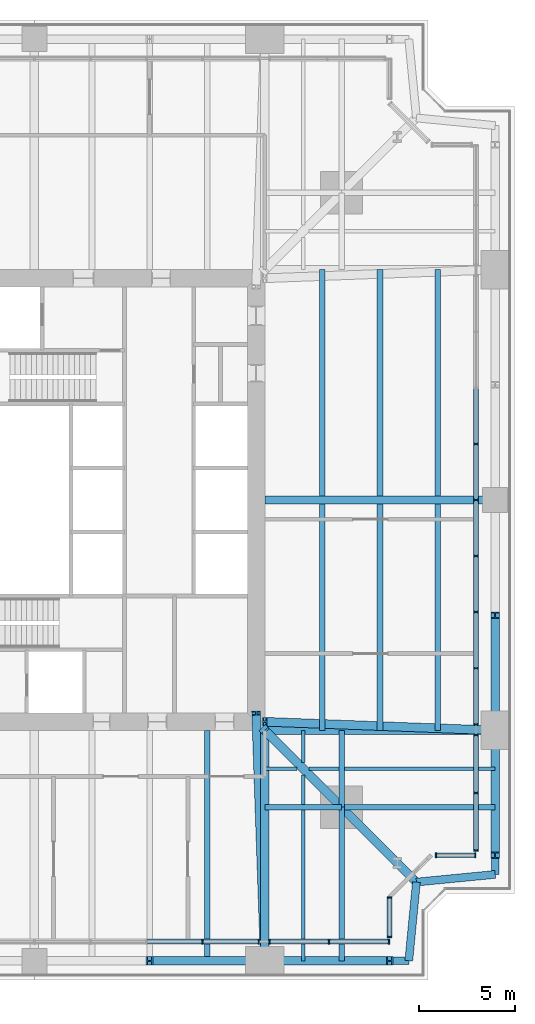
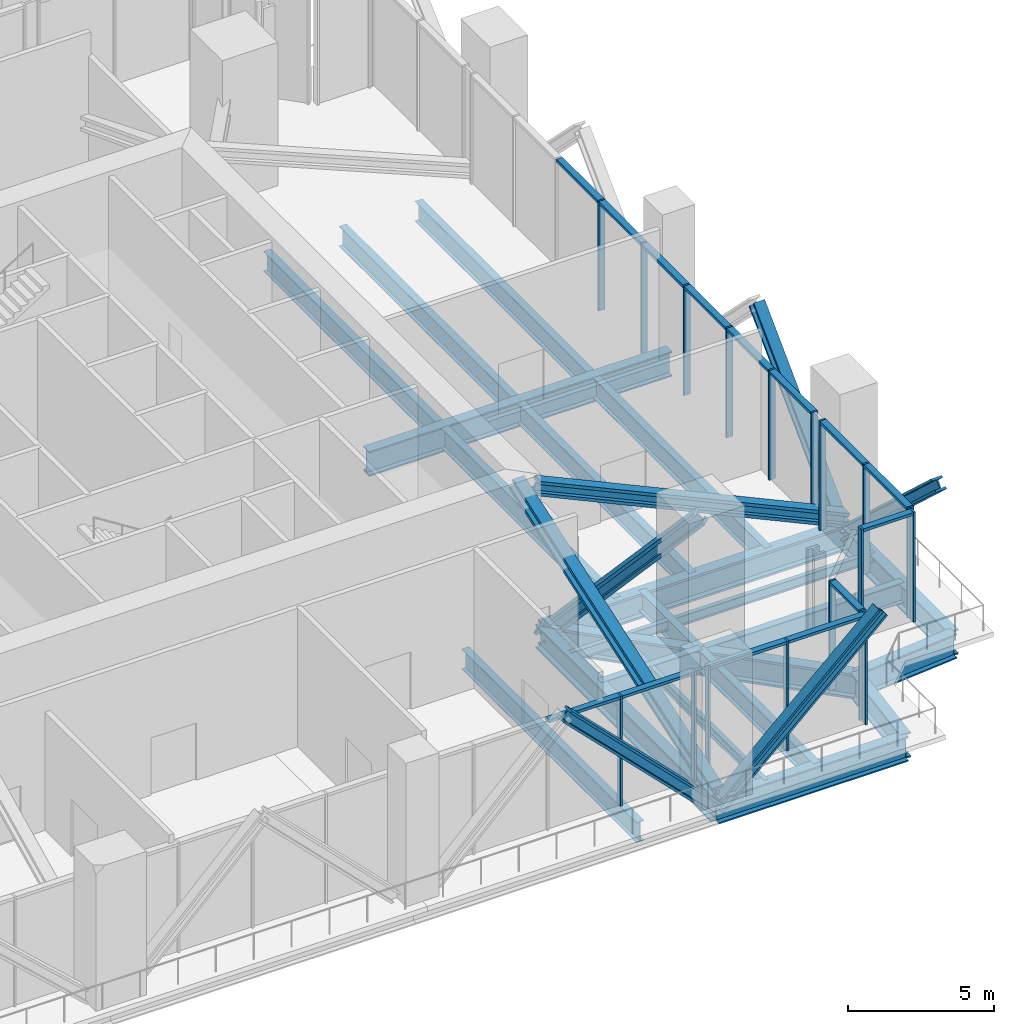
# One storey, part 5 of 14: 39 members, 26 beams, 6 elements without a shape of their own.
"""IFC4 building model written with IfcOpenShell, lengths in metres."""

from ifc_helpers import new_model, si_unit, direction, frame, origin, origin_2d, place, context, subcontext, project, spatial, rectangle, i_section, extrude, material, material_profile, profile_set, type_object, element, aggregate, save


model = new_model("IFC4")

# Units and contexts
model_context = context("Model", 3, precision=1e-05, world=origin(), true_north=direction((0.0, 1.0)))
body_context = subcontext(model_context, "Body", "Model", "MODEL_VIEW")
ifc_project = project(units=[si_unit("LENGTHUNIT", "METRE"), si_unit("AREAUNIT", "SQUARE_METRE"), si_unit("VOLUMEUNIT", "CUBIC_METRE"), si_unit("PLANEANGLEUNIT", "RADIAN"), si_unit("MASSUNIT", "GRAM", prefix="KILO")], contexts=[model_context])

# Site, building, storey
site_placement = place(None, origin())
site = spatial("IfcSite", under=ifc_project, at=site_placement, CompositionType="ELEMENT")
building_placement = place(site_placement, origin())
building = spatial("IfcBuilding", under=site, at=building_placement, Name="Fenwick Lantern Interchange", CompositionType="ELEMENT")
storey_placement = place(building_placement, frame((0.0, 0.0, 162.39990234375)))
storey = spatial("IfcBuildingStorey", under=building, at=storey_placement, Name="L38", CompositionType="ELEMENT", Elevation=162.39990234375)

# Members
ifc_material_1 = material(Name="Steel ASTM A992 Grade 50", Category="steel")
ifc_material_profile_1 = material_profile(ifc_material_1, i_section(OverallWidth=0.431884765625, OverallDepth=0.497802734375, WebThickness=0.0556640625, FlangeThickness=0.0888671875, at=origin_2d()), Name="W14X500")
ifc_profile_set_1 = profile_set([ifc_material_profile_1], Name="Steel ASTM A992 Grade 50")
member_type_1 = type_object("IfcMemberType", Name="BELT TRUSS DIAGONAL W14X500", PredefinedType="BRACE", material=ifc_profile_set_1)
member_1_placement = place(storey_placement, frame((37.0, 1.0, -0.64990234375), z_axis=(-0.707106781187, 0.0, 0.707106781187), x_axis=(0.0, -1.0, 0.0)))
element("IfcMember", 1, at=member_1_placement, inside=storey, type_object=member_type_1, Name="L38/BT/S/D5", PredefinedType="BRACE", context=body_context, shape_type="SweptSolid", body=[
    extrude(i_section(OverallWidth=0.431884765625, OverallDepth=0.497802734375, WebThickness=0.0556640625, FlangeThickness=0.0888671875, at=origin_2d()), origin(), (0.0, 0.0, 1.0), 8.4853515625),
])
for number, where, z_axis, x_axis, name in (
    (2, (37.0, 1.0, -0.64990234375), (0.734803444627, 0.0, 0.678280102733), (0.0, 1.0, 0.0), "L38/BT/S/D6"),
    (3, (49.0, 13.0, -0.64990234375), (0.0, -0.734803444627, 0.678280102733), (1.0, 0.0, 0.0), "L38/BT/E/D1"),
):
    element("IfcMember", number, at=place(storey_placement, frame(where, z_axis=z_axis, x_axis=x_axis)), inside=storey, type_object=member_type_1, Name=name, PredefinedType="BRACE", context=body_context, shape_type="SweptSolid", body=[
        extrude(i_section(OverallWidth=0.431884765625, OverallDepth=0.497802734375, WebThickness=0.0556640625, FlangeThickness=0.0888671875, at=origin_2d()), origin(), (0.0, 0.0, 1.0), 8.845947265625),
    ])
member_2_placement = place(storey_placement, frame((49.0, 13.0, -0.64990234375), z_axis=(0.0, 0.707106781187, 0.707106781187), x_axis=(-1.0, 0.0, 0.0)))
element("IfcMember", 4, at=member_2_placement, inside=storey, type_object=member_type_1, Name="L38/BT/E/D2", PredefinedType="BRACE", context=body_context, shape_type="SweptSolid", body=[
    extrude(i_section(OverallWidth=0.431884765625, OverallDepth=0.497802734375, WebThickness=0.0556640625, FlangeThickness=0.0888671875, at=origin_2d()), origin(), (0.0, 0.0, 1.0), 8.4853515625),
])

# Beams
ifc_material_profile_2 = material_profile(ifc_material_1, i_section(OverallWidth=0.408935546875, OverallDepth=1.04150390625, WebThickness=0.031005859375, FlangeThickness=0.055908203125, at=origin_2d()), Name="W40X397")
ifc_profile_set_2 = profile_set([ifc_material_profile_2], Name="Steel ASTM A992 Grade 50")
beam_type_1 = type_object("IfcBeamType", Name="EDGE BEAM W40X397", PredefinedType="SPANDREL", material=ifc_profile_set_2)
beam_1_placement = place(storey_placement, frame((37.0, 1.0, -0.720703125), z_axis=(1.0, 0.0, 0.0), x_axis=(0.0, 1.0, 0.0)))
element("IfcBeam", 5, at=beam_1_placement, inside=storey, type_object=beam_type_1, Name="L38/FR/S/EB4", PredefinedType="SPANDREL", context=body_context, shape_type="SweptSolid", body=[
    extrude(i_section(OverallWidth=0.408935546875, OverallDepth=1.04150390625, WebThickness=0.031005859375, FlangeThickness=0.055908203125, at=origin_2d()), origin(), (0.0, 0.0, 1.0), 7.5),
])
for number, where, z_axis, x_axis, name in (
    (6, (44.5, 1.0, -0.720703125), (0.097074191287, 0.995277148028, 0.0), (-0.995277148028, 0.097074191287, 0.0), "L38/FR/S/EBR1"),
    (7, (44.89990234375, 5.10009765625, -0.720703125), (0.995277148028, 0.097074191287, 0.0), (-0.097074191287, 0.995277148028, 0.0), "L38/FR/S/EBR2"),
):
    element("IfcBeam", number, at=place(storey_placement, frame(where, z_axis=z_axis, x_axis=x_axis)), inside=storey, type_object=beam_type_1, Name=name, PredefinedType="SPANDREL", context=body_context, shape_type="SweptSolid", body=[
        extrude(i_section(OverallWidth=0.408935546875, OverallDepth=1.04150390625, WebThickness=0.031005859375, FlangeThickness=0.055908203125, at=origin_2d()), origin(), (0.0, 0.0, 1.0), 4.11962890625),
    ])
beam_2_placement = place(storey_placement, frame((49.0, 5.5, -0.720703125), z_axis=(0.0, 1.0, 0.0), x_axis=(-1.0, 0.0, 0.0)))
element("IfcBeam", 8, at=beam_2_placement, inside=storey, type_object=beam_type_1, Name="L38/FR/E/EB1", PredefinedType="SPANDREL", context=body_context, shape_type="SweptSolid", body=[
    extrude(i_section(OverallWidth=0.408935546875, OverallDepth=1.04150390625, WebThickness=0.031005859375, FlangeThickness=0.055908203125, at=origin_2d()), origin(), (0.0, 0.0, 1.0), 7.5),
])
ifc_material_profile_3 = material_profile(ifc_material_1, i_section(OverallWidth=0.2919921875, OverallDepth=0.845703125, WebThickness=0.015380859375, FlangeThickness=0.0244140625, at=origin_2d()), Name="W33X141")
ifc_profile_set_3 = profile_set([ifc_material_profile_3], Name="Steel ASTM A992 Grade 50")
beam_type_2 = type_object("IfcBeamType", Name="FLOOR BEAM W33X141", PredefinedType="BEAM", material=ifc_profile_set_3)
beam_3_placement = place(storey_placement, frame((34.0, 1.0, -0.622802734375), z_axis=(0.0, 1.0, 0.0), x_axis=(-1.0, 0.0, 0.0)))
element("IfcBeam", 9, at=beam_3_placement, inside=storey, type_object=beam_type_2, Name="L38/FR/S/R08", PredefinedType="BEAM", context=body_context, shape_type="SweptSolid", body=[
    extrude(i_section(OverallWidth=0.2919921875, OverallDepth=0.845703125, WebThickness=0.015380859375, FlangeThickness=0.0244140625, at=origin_2d()), origin(), (0.0, 0.0, 1.0), 12.0),
])
for number, where, z_axis, x_axis, name in (
    (10, (46.0, 13.0, -0.622802734375), (0.0, 1.0, 0.0), (-1.0, 0.0, 0.0), "L38/FR/E/B01"),
    (11, (43.0, 13.0, -0.622802734375), (0.0, 1.0, 0.0), (-1.0, 0.0, 0.0), "L38/FR/E/B02"),
    (12, (40.0, 13.0, -0.622802734375), (0.0, 1.0, 0.0), (-1.0, 0.0, 0.0), "L38/FR/E/B03"),
    (13, (46.0, 25.20458984375, -0.622802734375), (0.0, 1.0, 0.0), (-1.0, 0.0, 0.0), "L38/FR/E/B04"),
    (14, (43.0, 25.20458984375, -0.622802734375), (0.0, 1.0, 0.0), (-1.0, 0.0, 0.0), "L38/FR/E/B05"),
    (15, (40.0, 25.20458984375, -0.622802734375), (0.0, 1.0, 0.0), (-1.0, 0.0, 0.0), "L38/FR/E/B06"),
):
    element("IfcBeam", number, at=place(storey_placement, frame(where, z_axis=z_axis, x_axis=x_axis)), inside=storey, type_object=beam_type_2, Name=name, PredefinedType="BEAM", context=body_context, shape_type="SweptSolid", body=[
        extrude(i_section(OverallWidth=0.2919921875, OverallDepth=0.845703125, WebThickness=0.015380859375, FlangeThickness=0.0244140625, at=origin_2d()), origin(), (0.0, 0.0, 1.0), 11.79541015625),
    ])
ifc_material_profile_4 = material_profile(ifc_material_1, i_section(OverallWidth=0.177734375, OverallDepth=0.406494140625, WebThickness=0.0078125, FlangeThickness=0.012939453125, at=origin_2d()), Name="W16X40")
ifc_profile_set_4 = profile_set([ifc_material_profile_4], Name="Steel ASTM A992 Grade 50")
beam_type_3 = type_object("IfcBeamType", Name="INFILL BEAM W16X40", PredefinedType="JOIST", material=ifc_profile_set_4)
beam_4_placement = place(storey_placement, frame((49.0, 11.0, -0.403076171875), z_axis=(-1.0, 0.0, 0.0), x_axis=(0.0, -1.0, 0.0)))
element("IfcBeam", 16, at=beam_4_placement, inside=storey, type_object=beam_type_3, Name="L38/FR/E/J1", PredefinedType="JOIST", context=body_context, shape_type="SweptSolid", body=[
    extrude(i_section(OverallWidth=0.177734375, OverallDepth=0.406494140625, WebThickness=0.0078125, FlangeThickness=0.012939453125, at=origin_2d()), origin(), (0.0, 0.0, 1.0), 7.85400390625),
])
beam_5_placement = place(storey_placement, frame((40.85400390625, 11.0, -0.403076171875), z_axis=(-1.0, 0.0, 0.0), x_axis=(0.0, -1.0, 0.0)))
element("IfcBeam", 17, at=beam_5_placement, inside=storey, type_object=beam_type_3, Name="L38/FR/E/J2", PredefinedType="JOIST", context=body_context, shape_type="SweptSolid", body=[
    extrude(i_section(OverallWidth=0.177734375, OverallDepth=0.406494140625, WebThickness=0.0078125, FlangeThickness=0.012939453125, at=origin_2d()), origin(), (0.0, 0.0, 1.0), 1.537841796875),
])
beam_6_placement = place(storey_placement, frame((38.683837890625, 11.0, -0.403076171875), z_axis=(-1.0, 0.0, 0.0), x_axis=(0.0, -1.0, 0.0)))
element("IfcBeam", 18, at=beam_6_placement, inside=storey, type_object=beam_type_3, Name="L38/FR/E/J6", PredefinedType="JOIST", context=body_context, shape_type="SweptSolid", body=[
    extrude(i_section(OverallWidth=0.177734375, OverallDepth=0.406494140625, WebThickness=0.0078125, FlangeThickness=0.012939453125, at=origin_2d()), origin(), (0.0, 0.0, 1.0), 1.683837890625),
])
beam_7_placement = place(storey_placement, frame((39.0, 1.0, -0.403076171875), z_axis=(0.0, 1.0, 0.0), x_axis=(-1.0, 0.0, 0.0)))
element("IfcBeam", 19, at=beam_7_placement, inside=storey, type_object=beam_type_3, Name="L38/FR/E/J3", PredefinedType="JOIST", context=body_context, shape_type="SweptSolid", body=[
    extrude(i_section(OverallWidth=0.177734375, OverallDepth=0.406494140625, WebThickness=0.0078125, FlangeThickness=0.012939453125, at=origin_2d()), origin(), (0.0, 0.0, 1.0), 7.85400390625),
])
beam_8_placement = place(storey_placement, frame((39.0, 9.14599609375, -0.403076171875), z_axis=(0.0, 1.0, 0.0), x_axis=(-1.0, 0.0, 0.0)))
element("IfcBeam", 20, at=beam_8_placement, inside=storey, type_object=beam_type_3, Name="L38/FR/E/J4", PredefinedType="JOIST", context=body_context, shape_type="SweptSolid", body=[
    extrude(i_section(OverallWidth=0.177734375, OverallDepth=0.406494140625, WebThickness=0.0078125, FlangeThickness=0.012939453125, at=origin_2d()), origin(), (0.0, 0.0, 1.0), 1.537841796875),
])
beam_9_placement = place(storey_placement, frame((39.0, 11.316162109375, -0.403076171875), z_axis=(0.0, 1.0, 0.0), x_axis=(-1.0, 0.0, 0.0)))
element("IfcBeam", 21, at=beam_9_placement, inside=storey, type_object=beam_type_3, Name="L38/FR/E/J5", PredefinedType="JOIST", context=body_context, shape_type="SweptSolid", body=[
    extrude(i_section(OverallWidth=0.177734375, OverallDepth=0.406494140625, WebThickness=0.0078125, FlangeThickness=0.012939453125, at=origin_2d()), origin(), (0.0, 0.0, 1.0), 1.683837890625),
])
ifc_material_profile_5 = material_profile(ifc_material_1, i_section(OverallWidth=0.2919921875, OverallDepth=0.845703125, WebThickness=0.015380859375, FlangeThickness=0.0244140625, at=origin_2d()), Name="W33X141")
ifc_profile_set_5 = profile_set([ifc_material_profile_5], Name="Steel ASTM A992 Grade 50")
beam_type_4 = type_object("IfcBeamType", Name="MEGA COLUMN BEAM W33X141", PredefinedType="BEAM", material=ifc_profile_set_5)
for number, where, z_axis, x_axis, name in (
    (22, (41.0, 9.0, -0.622802734375), (1.0, 0.0, 0.0), (0.0, 1.0, 0.0), "L38/FR/E/MB1"),
    (23, (41.0, 9.0, -0.622802734375), (0.0, -1.0, 0.0), (1.0, 0.0, 0.0), "L38/FR/E/MB2"),
):
    element("IfcBeam", number, at=place(storey_placement, frame(where, z_axis=z_axis, x_axis=x_axis)), inside=storey, type_object=beam_type_4, Name=name, PredefinedType="BEAM", context=body_context, shape_type="SweptSolid", body=[
        extrude(i_section(OverallWidth=0.2919921875, OverallDepth=0.845703125, WebThickness=0.015380859375, FlangeThickness=0.0244140625, at=origin_2d()), origin(), (0.0, 0.0, 1.0), 8.0),
    ])
for number, where, z_axis, x_axis, name in (
    (24, (41.0, 9.0, -0.622802734375), (0.0, 1.0, 0.0), (-1.0, 0.0, 0.0), "L38/FR/E/MB3"),
    (25, (41.0, 9.0, -0.622802734375), (-1.0, 0.0, 0.0), (0.0, -1.0, 0.0), "L38/FR/E/MB4"),
):
    element("IfcBeam", number, at=place(storey_placement, frame(where, z_axis=z_axis, x_axis=x_axis)), inside=storey, type_object=beam_type_4, Name=name, PredefinedType="BEAM", context=body_context, shape_type="SweptSolid", body=[
        extrude(i_section(OverallWidth=0.2919921875, OverallDepth=0.845703125, WebThickness=0.015380859375, FlangeThickness=0.0244140625, at=origin_2d()), origin(), (0.0, 0.0, 1.0), 4.0),
    ])
ifc_material_profile_6 = material_profile(ifc_material_1, i_section(OverallWidth=0.434326171875, OverallDepth=0.9931640625, WebThickness=0.0380859375, FlangeThickness=0.06396484375, at=origin_2d()), Name="W36X487")
ifc_profile_set_6 = profile_set([ifc_material_profile_6], Name="Steel ASTM A992 Grade 50")
beam_type_5 = type_object("IfcBeamType", Name="MOMENT-CONNECTED GIRDER W36X487", PredefinedType="BEAM", material=ifc_profile_set_6)
beam_10_placement = place(storey_placement, frame((37.0, 1.0, -0.696533203125), z_axis=(0.0, 1.0, 0.0), x_axis=(-1.0, 0.0, 0.0)))
element("IfcBeam", 26, at=beam_10_placement, inside=storey, type_object=beam_type_5, Name="L38/FR/S/R09", PredefinedType="BEAM", context=body_context, shape_type="SweptSolid", body=[
    extrude(i_section(OverallWidth=0.434326171875, OverallDepth=0.9931640625, WebThickness=0.0380859375, FlangeThickness=0.06396484375, at=origin_2d()), origin(), (0.0, 0.0, 1.0), 12.0),
])
ifc_material_profile_7 = material_profile(ifc_material_1, i_section(OverallWidth=0.447021484375, OverallDepth=1.0439453125, WebThickness=0.050048828125, FlangeThickness=0.08984375, at=origin_2d()), Name="W36X652")
ifc_profile_set_7 = profile_set([ifc_material_profile_7], Name="Steel ASTM A992 Grade 50")
beam_type_6 = type_object("IfcBeamType", Name="MOMENT-CONNECTED GIRDER W36X652", PredefinedType="BEAM", material=ifc_profile_set_7)
beam_11_placement = place(storey_placement, frame((49.0, 13.0, -0.721923828125), z_axis=(-1.0, 0.0, 0.0), x_axis=(0.0, -1.0, 0.0)))
element("IfcBeam", 27, at=beam_11_placement, inside=storey, type_object=beam_type_6, Name="L38/FR/E/R01", PredefinedType="BEAM", context=body_context, shape_type="SweptSolid", body=[
    extrude(i_section(OverallWidth=0.447021484375, OverallDepth=1.0439453125, WebThickness=0.050048828125, FlangeThickness=0.08984375, at=origin_2d()), origin(), (0.0, 0.0, 1.0), 12.0),
])
ifc_material_profile_8 = material_profile(ifc_material_1, i_section(OverallWidth=0.408935546875, OverallDepth=1.04150390625, WebThickness=0.031005859375, FlangeThickness=0.055908203125, at=origin_2d()), Name="W40X397")
ifc_profile_set_8 = profile_set([ifc_material_profile_8], Name="Steel ASTM A992 Grade 50")
beam_type_7 = type_object("IfcBeamType", Name="MOMENT-CONNECTED GIRDER W40X397", PredefinedType="BEAM", material=ifc_profile_set_8)
beam_12_placement = place(storey_placement, frame((49.0, 25.0, -0.720703125), z_axis=(-1.0, 0.0, 0.0), x_axis=(0.0, -1.0, 0.0)))
element("IfcBeam", 28, at=beam_12_placement, inside=storey, type_object=beam_type_7, Name="L38/FR/E/R02", PredefinedType="BEAM", context=body_context, shape_type="SweptSolid", body=[
    extrude(i_section(OverallWidth=0.408935546875, OverallDepth=1.04150390625, WebThickness=0.031005859375, FlangeThickness=0.055908203125, at=origin_2d()), origin(), (0.0, 0.0, 1.0), 12.0),
])
ifc_material_profile_9 = material_profile(ifc_material_1, i_section(OverallWidth=0.447021484375, OverallDepth=1.0439453125, WebThickness=0.050048828125, FlangeThickness=0.08984375, at=origin_2d()), Name="W36X652")
ifc_profile_set_9 = profile_set([ifc_material_profile_9], Name="Steel ASTM A992 Grade 50")
beam_type_8 = type_object("IfcBeamType", Name="NOTCH BEAM W36X652", PredefinedType="BEAM", material=ifc_profile_set_9)
beam_13_placement = place(storey_placement, frame((41.0, 9.0, -0.721923828125), z_axis=(0.707106781187, -0.707106781187, 0.0), x_axis=(0.707106781187, 0.707106781187, 0.0)))
element("IfcBeam", 29, at=beam_13_placement, inside=storey, type_object=beam_type_8, Name="L38/FR/E/TG", PredefinedType="BEAM", context=body_context, shape_type="SweptSolid", body=[
    extrude(i_section(OverallWidth=0.447021484375, OverallDepth=1.0439453125, WebThickness=0.050048828125, FlangeThickness=0.08984375, at=origin_2d()), origin(), (0.0, 0.0, 1.0), 5.515380859375),
])
ifc_material_profile_10 = material_profile(ifc_material_1, i_section(OverallWidth=0.447021484375, OverallDepth=1.0439453125, WebThickness=0.050048828125, FlangeThickness=0.08984375, at=origin_2d()), Name="W36X652")
ifc_profile_set_10 = profile_set([ifc_material_profile_10], Name="Steel ASTM A992 Grade 50")
beam_type_9 = type_object("IfcBeamType", Name="OUTRIGGER CHORD W36X652", PredefinedType="BEAM", material=ifc_profile_set_10)
beam_14_placement = place(storey_placement, frame((37.0, 13.0, -0.721923828125), z_axis=(0.707106781187, -0.707106781187, 0.0), x_axis=(0.707106781187, 0.707106781187, 0.0)))
element("IfcBeam", 30, at=beam_14_placement, inside=storey, type_object=beam_type_9, Name="L38/OR/E/BC", PredefinedType="BEAM", context=body_context, shape_type="SweptSolid", body=[
    extrude(i_section(OverallWidth=0.447021484375, OverallDepth=1.0439453125, WebThickness=0.050048828125, FlangeThickness=0.08984375, at=origin_2d()), origin(), (0.0, 0.0, 1.0), 5.65673828125),
])

# Members
ifc_material_profile_11 = material_profile(ifc_material_1, i_section(OverallWidth=0.45458984375, OverallDepth=0.56884765625, WebThickness=0.077880859375, FlangeThickness=0.124755859375, at=origin_2d()), Name="W14X730")
ifc_profile_set_11 = profile_set([ifc_material_profile_11], Name="Steel ASTM A992 Grade 50")
member_type_2 = type_object("IfcMemberType", Name="OUTRIGGER DIAGONAL W14X730", PredefinedType="BRACE", material=ifc_profile_set_11)
member_3_placement = place(storey_placement, frame((37.0, 1.0, 0.0), z_axis=(-0.032243448773, 0.924405505307, 0.380045815356), x_axis=(-0.999392240336, -0.034859001078, 0.0)))
element("IfcMember", 31, at=member_3_placement, inside=storey, type_object=member_type_2, Name="L38/OR/S/W2", PredefinedType="BRACE", context=body_context, shape_type="SweptSolid", body=[
    extrude(i_section(OverallWidth=0.45458984375, OverallDepth=0.56884765625, WebThickness=0.077880859375, FlangeThickness=0.124755859375, at=origin_2d()), origin(), (0.0, 0.0, 1.0), 13.954833984375),
])
member_4_placement = place(storey_placement, frame((37.0, 13.0, -0.721923828125), z_axis=(0.485071250073, -0.485071250073, 0.727606875109), x_axis=(0.707106781187, 0.707106781187, 0.0)))
element("IfcMember", 32, at=member_4_placement, inside=storey, type_object=member_type_2, Name="L38/OR/E/D", PredefinedType="BRACE", context=body_context, shape_type="SweptSolid", body=[
    extrude(i_section(OverallWidth=0.45458984375, OverallDepth=0.56884765625, WebThickness=0.077880859375, FlangeThickness=0.124755859375, at=origin_2d()), origin(), (0.0, 0.0, 1.0), 8.24609375),
])
member_5_placement = place(storey_placement, frame((49.0, 13.0, 0.0), z_axis=(-0.914830425653, 0.034302418507, 0.402378722579), x_axis=(-0.037469600146, -0.999297767968, 0.0)))
element("IfcMember", 33, at=member_5_placement, inside=storey, type_object=member_type_2, Name="L38/OR/E/W1", PredefinedType="BRACE", context=body_context, shape_type="SweptSolid", body=[
    extrude(i_section(OverallWidth=0.45458984375, OverallDepth=0.56884765625, WebThickness=0.077880859375, FlangeThickness=0.124755859375, at=origin_2d()), origin(), (0.0, 0.0, 1.0), 13.1171875),
])

# Curtain wall, members
ifc_material_2 = material(Name="Aluminium curtain wall frame", Category="aluminium")
curtain_wall_type = type_object("IfcCurtainWallType", Name="PLANT LOUVRE SCREEN", PredefinedType="USERDEFINED", material=ifc_material_2)
curtain_wall_1_placement = place(storey_placement, origin())
curtain_wall_1 = element("IfcCurtainWall", 34, at=curtain_wall_1_placement, inside=storey, type_object=curtain_wall_type, Name="Plant louvre screen 01", ObjectType="PLANT LOUVRE SCREEN", PredefinedType="USERDEFINED")
ifc_material_3 = material(Name="Aluminium extrusion", Category="aluminium")
ifc_material_profile_12 = material_profile(ifc_material_3, rectangle(XDim=0.25, YDim=0.074951171875, at=origin_2d()), Name="PLANT LOUVRE SCREEN MULLION 75 X 250")
ifc_profile_set_12 = profile_set([ifc_material_profile_12], Name="Aluminium extrusion")
member_type_3 = type_object("IfcMemberType", Name="PLANT LOUVRE SCREEN MULLION 75 X 250", PredefinedType="MULLION", material=ifc_profile_set_12)
member_6_placement = place(storey_placement, frame((43.5, 2.237548828125, 0.0), z_axis=(0.0, 0.0, 1.0), x_axis=(-1.0, 0.0, 0.0)))
member_6 = element("IfcMember", 35, at=member_6_placement, type_object=member_type_3, Name="L38/CW/01/M00", PredefinedType="MULLION", context=body_context, shape_type="SweptSolid", body=[
    extrude(rectangle(XDim=0.25, YDim=0.074951171875, at=origin_2d()), origin(), (0.0, 0.0, 1.0), 4.60009765625),
])
member_7_placement = place(storey_placement, frame((43.5, 4.291015625, 0.0), z_axis=(0.0, 0.0, 1.0), x_axis=(-1.0, 0.0, 0.0)))
member_7 = element("IfcMember", 36, at=member_7_placement, type_object=member_type_3, Name="L38/CW/01/M01", PredefinedType="MULLION", context=body_context, shape_type="SweptSolid", body=[
    extrude(rectangle(XDim=0.25, YDim=0.074951171875, at=origin_2d()), origin(), (0.0, 0.0, 1.0), 4.60009765625),
])

curtain_wall_2_placement = place(storey_placement, origin())
curtain_wall_2 = element("IfcCurtainWall", 37, at=curtain_wall_2_placement, inside=storey, type_object=curtain_wall_type, Name="Plant louvre screen 03", ObjectType="PLANT LOUVRE SCREEN", PredefinedType="USERDEFINED")
member_8_placement = place(storey_placement, frame((45.9091796875, 6.5, 0.0), z_axis=(0.0, 0.0, 1.0), x_axis=(0.0, 1.0, 0.0)))
member_8 = element("IfcMember", 38, at=member_8_placement, type_object=member_type_3, Name="L38/CW/03/M00", PredefinedType="MULLION", context=body_context, shape_type="SweptSolid", body=[
    extrude(rectangle(XDim=0.25, YDim=0.074951171875, at=origin_2d()), origin(), (0.0, 0.0, 1.0), 4.60009765625),
])
member_9_placement = place(storey_placement, frame((47.96240234375, 6.5, 0.0), z_axis=(0.0, 0.0, 1.0), x_axis=(0.0, 1.0, 0.0)))
member_9 = element("IfcMember", 39, at=member_9_placement, type_object=member_type_3, Name="L38/CW/03/M01", PredefinedType="MULLION", context=body_context, shape_type="SweptSolid", body=[
    extrude(rectangle(XDim=0.25, YDim=0.074951171875, at=origin_2d()), origin(), (0.0, 0.0, 1.0), 4.60009765625),
])

curtain_wall_3_placement = place(storey_placement, origin())
curtain_wall_3 = element("IfcCurtainWall", 40, at=curtain_wall_3_placement, inside=storey, type_object=curtain_wall_type, Name="Plant louvre screen 04A", ObjectType="PLANT LOUVRE SCREEN", PredefinedType="USERDEFINED")
member_10_placement = place(storey_placement, frame((48.0, 6.737548828125, 0.0), z_axis=(0.0, 0.0, 1.0), x_axis=(-1.0, 0.0, 0.0)))
member_10 = element("IfcMember", 41, at=member_10_placement, type_object=member_type_3, Name="L38/CW/04A/M00", PredefinedType="MULLION", context=body_context, shape_type="SweptSolid", body=[
    extrude(rectangle(XDim=0.25, YDim=0.074951171875, at=origin_2d()), origin(), (0.0, 0.0, 1.0), 4.60009765625),
])
member_11_placement = place(storey_placement, frame((48.0, 9.74755859375, 0.0), z_axis=(0.0, 0.0, 1.0), x_axis=(-1.0, 0.0, 0.0)))
member_11 = element("IfcMember", 42, at=member_11_placement, type_object=member_type_3, Name="L38/CW/04A/M01", PredefinedType="MULLION", context=body_context, shape_type="SweptSolid", body=[
    extrude(rectangle(XDim=0.25, YDim=0.074951171875, at=origin_2d()), origin(), (0.0, 0.0, 1.0), 4.60009765625),
])
member_12_placement = place(storey_placement, frame((48.0, 12.7578125, 0.0), z_axis=(0.0, 0.0, 1.0), x_axis=(-1.0, 0.0, 0.0)))
member_12 = element("IfcMember", 43, at=member_12_placement, type_object=member_type_3, Name="L38/CW/04A/M02", PredefinedType="MULLION", context=body_context, shape_type="SweptSolid", body=[
    extrude(rectangle(XDim=0.25, YDim=0.074951171875, at=origin_2d()), origin(), (0.0, 0.0, 1.0), 4.60009765625),
])

curtain_wall_4_placement = place(storey_placement, origin())
curtain_wall_4 = element("IfcCurtainWall", 44, at=curtain_wall_4_placement, inside=storey, type_object=curtain_wall_type, Name="Plant louvre screen 04B", ObjectType="PLANT LOUVRE SCREEN", PredefinedType="USERDEFINED")
member_13_placement = place(storey_placement, frame((48.0, 13.317138671875, 0.0), z_axis=(0.0, 0.0, 1.0), x_axis=(-1.0, 0.0, 0.0)))
member_13 = element("IfcMember", 45, at=member_13_placement, type_object=member_type_3, Name="L38/CW/04B/M00", PredefinedType="MULLION", context=body_context, shape_type="SweptSolid", body=[
    extrude(rectangle(XDim=0.25, YDim=0.074951171875, at=origin_2d()), origin(), (0.0, 0.0, 1.0), 4.60009765625),
])
member_14_placement = place(storey_placement, frame((48.0, 16.23779296875, 0.0), z_axis=(0.0, 0.0, 1.0), x_axis=(-1.0, 0.0, 0.0)))
member_14 = element("IfcMember", 46, at=member_14_placement, type_object=member_type_3, Name="L38/CW/04B/M01", PredefinedType="MULLION", context=body_context, shape_type="SweptSolid", body=[
    extrude(rectangle(XDim=0.25, YDim=0.074951171875, at=origin_2d()), origin(), (0.0, 0.0, 1.0), 4.60009765625),
])
member_15_placement = place(storey_placement, frame((48.0, 19.15869140625, 0.0), z_axis=(0.0, 0.0, 1.0), x_axis=(-1.0, 0.0, 0.0)))
member_15 = element("IfcMember", 47, at=member_15_placement, type_object=member_type_3, Name="L38/CW/04B/M02", PredefinedType="MULLION", context=body_context, shape_type="SweptSolid", body=[
    extrude(rectangle(XDim=0.25, YDim=0.074951171875, at=origin_2d()), origin(), (0.0, 0.0, 1.0), 4.60009765625),
])
member_16_placement = place(storey_placement, frame((48.0, 22.079345703125, 0.0), z_axis=(0.0, 0.0, 1.0), x_axis=(-1.0, 0.0, 0.0)))
member_16 = element("IfcMember", 48, at=member_16_placement, type_object=member_type_3, Name="L38/CW/04B/M03", PredefinedType="MULLION", context=body_context, shape_type="SweptSolid", body=[
    extrude(rectangle(XDim=0.25, YDim=0.074951171875, at=origin_2d()), origin(), (0.0, 0.0, 1.0), 4.60009765625),
])
member_17_placement = place(storey_placement, frame((48.0, 25.0, 0.0), z_axis=(0.0, 0.0, 1.0), x_axis=(-1.0, 0.0, 0.0)))
member_17 = element("IfcMember", 49, at=member_17_placement, type_object=member_type_3, Name="L38/CW/04B/M04", PredefinedType="MULLION", context=body_context, shape_type="SweptSolid", body=[
    extrude(rectangle(XDim=0.25, YDim=0.074951171875, at=origin_2d()), origin(), (0.0, 0.0, 1.0), 4.60009765625),
])
member_18_placement = place(storey_placement, frame((48.0, 27.920654296875, 0.0), z_axis=(0.0, 0.0, 1.0), x_axis=(-1.0, 0.0, 0.0)))
member_18 = element("IfcMember", 50, at=member_18_placement, type_object=member_type_3, Name="L38/CW/04B/M05", PredefinedType="MULLION", context=body_context, shape_type="SweptSolid", body=[
    extrude(rectangle(XDim=0.25, YDim=0.074951171875, at=origin_2d()), origin(), (0.0, 0.0, 1.0), 4.60009765625),
])

curtain_wall_5_placement = place(storey_placement, origin())
curtain_wall_5 = element("IfcCurtainWall", 51, at=curtain_wall_5_placement, inside=storey, type_object=curtain_wall_type, Name="Plant louvre screen 16B", ObjectType="PLANT LOUVRE SCREEN", PredefinedType="USERDEFINED")
member_19_placement = place(storey_placement, frame((33.764404296875, 2.0, 0.0), z_axis=(0.0, 0.0, 1.0), x_axis=(0.0, 1.0, 0.0)))
member_19 = element("IfcMember", 52, at=member_19_placement, type_object=member_type_3, Name="L38/CW/16B/M07", PredefinedType="MULLION", context=body_context, shape_type="SweptSolid", body=[
    extrude(rectangle(XDim=0.25, YDim=0.074951171875, at=origin_2d()), origin(), (0.0, 0.0, 1.0), 4.60009765625),
])
member_20_placement = place(storey_placement, frame((36.685791015625, 2.0, 0.0), z_axis=(0.0, 0.0, 1.0), x_axis=(0.0, 1.0, 0.0)))
member_20 = element("IfcMember", 53, at=member_20_placement, type_object=member_type_3, Name="L38/CW/16B/M08", PredefinedType="MULLION", context=body_context, shape_type="SweptSolid", body=[
    extrude(rectangle(XDim=0.25, YDim=0.074951171875, at=origin_2d()), origin(), (0.0, 0.0, 1.0), 4.60009765625),
])

curtain_wall_6_placement = place(storey_placement, origin())
curtain_wall_6 = element("IfcCurtainWall", 54, at=curtain_wall_6_placement, inside=storey, type_object=curtain_wall_type, Name="Plant louvre screen 16C", ObjectType="PLANT LOUVRE SCREEN", PredefinedType="USERDEFINED")
member_21_placement = place(storey_placement, frame((37.244384765625, 2.0, 0.0), z_axis=(0.0, 0.0, 1.0), x_axis=(0.0, 1.0, 0.0)))
member_21 = element("IfcMember", 55, at=member_21_placement, type_object=member_type_3, Name="L38/CW/16C/M00", PredefinedType="MULLION", context=body_context, shape_type="SweptSolid", body=[
    extrude(rectangle(XDim=0.25, YDim=0.074951171875, at=origin_2d()), origin(), (0.0, 0.0, 1.0), 4.60009765625),
])
member_22_placement = place(storey_placement, frame((40.353515625, 2.0, 0.0), z_axis=(0.0, 0.0, 1.0), x_axis=(0.0, 1.0, 0.0)))
member_22 = element("IfcMember", 56, at=member_22_placement, type_object=member_type_3, Name="L38/CW/16C/M01", PredefinedType="MULLION", context=body_context, shape_type="SweptSolid", body=[
    extrude(rectangle(XDim=0.25, YDim=0.074951171875, at=origin_2d()), origin(), (0.0, 0.0, 1.0), 4.60009765625),
])
member_23_placement = place(storey_placement, frame((43.46240234375, 2.0, 0.0), z_axis=(0.0, 0.0, 1.0), x_axis=(0.0, 1.0, 0.0)))
member_23 = element("IfcMember", 57, at=member_23_placement, type_object=member_type_3, Name="L38/CW/16C/M02", PredefinedType="MULLION", context=body_context, shape_type="SweptSolid", body=[
    extrude(rectangle(XDim=0.25, YDim=0.074951171875, at=origin_2d()), origin(), (0.0, 0.0, 1.0), 4.60009765625),
])

# Member
ifc_material_profile_13 = material_profile(ifc_material_3, rectangle(XDim=0.25, YDim=0.1201171875, at=origin_2d()), Name="PLANT LOUVRE SCREEN TRANSOM 120 X 250")
ifc_profile_set_13 = profile_set([ifc_material_profile_13], Name="Aluminium extrusion")
member_type_4 = type_object("IfcMemberType", Name="PLANT LOUVRE SCREEN TRANSOM 120 X 250", PredefinedType="MULLION", material=ifc_profile_set_13)
member_24_placement = place(storey_placement, frame((43.5, 2.27490234375, 4.5400390625), z_axis=(0.0, 1.0, 0.0), x_axis=(-1.0, 0.0, 0.0)))
member_24 = element("IfcMember", 58, at=member_24_placement, type_object=member_type_4, Name="L38/CW/01/T00", PredefinedType="MULLION", context=body_context, shape_type="SweptSolid", body=[
    extrude(rectangle(XDim=0.25, YDim=0.1201171875, at=origin_2d()), origin(), (0.0, 0.0, 1.0), 1.978515625),
])

aggregate(curtain_wall_1, [member_6, member_7, member_24])

member_25_placement = place(storey_placement, frame((45.946533203125, 6.5, 4.5400390625), z_axis=(1.0, 0.0, 0.0), x_axis=(0.0, 1.0, 0.0)))
member_25 = element("IfcMember", 59, at=member_25_placement, type_object=member_type_4, Name="L38/CW/03/T00", PredefinedType="MULLION", context=body_context, shape_type="SweptSolid", body=[
    extrude(rectangle(XDim=0.25, YDim=0.1201171875, at=origin_2d()), origin(), (0.0, 0.0, 1.0), 1.978515625),
])

aggregate(curtain_wall_2, [member_8, member_9, member_25])

member_26_placement = place(storey_placement, frame((48.0, 6.77490234375, 4.5400390625), z_axis=(0.0, 1.0, 0.0), x_axis=(-1.0, 0.0, 0.0)))
member_26 = element("IfcMember", 60, at=member_26_placement, type_object=member_type_4, Name="L38/CW/04A/T00", PredefinedType="MULLION", context=body_context, shape_type="SweptSolid", body=[
    extrude(rectangle(XDim=0.25, YDim=0.1201171875, at=origin_2d()), origin(), (0.0, 0.0, 1.0), 2.935302734375),
])

member_27_placement = place(storey_placement, frame((48.0, 9.78515625, 4.5400390625), z_axis=(0.0, 1.0, 0.0), x_axis=(-1.0, 0.0, 0.0)))
member_27 = element("IfcMember", 61, at=member_27_placement, type_object=member_type_4, Name="L38/CW/04A/T01", PredefinedType="MULLION", context=body_context, shape_type="SweptSolid", body=[
    extrude(rectangle(XDim=0.25, YDim=0.1201171875, at=origin_2d()), origin(), (0.0, 0.0, 1.0), 2.93505859375),
])

aggregate(curtain_wall_3, [member_10, member_11, member_12, member_26, member_27])

member_28_placement = place(storey_placement, frame((48.0, 13.354736328125, 4.5400390625), z_axis=(0.0, 1.0, 0.0), x_axis=(-1.0, 0.0, 0.0)))
member_28 = element("IfcMember", 62, at=member_28_placement, type_object=member_type_4, Name="L38/CW/04B/T00", PredefinedType="MULLION", context=body_context, shape_type="SweptSolid", body=[
    extrude(rectangle(XDim=0.25, YDim=0.1201171875, at=origin_2d()), origin(), (0.0, 0.0, 1.0), 2.845703125),
])

member_29_placement = place(storey_placement, frame((48.0, 16.275390625, 4.5400390625), z_axis=(0.0, 1.0, 0.0), x_axis=(-1.0, 0.0, 0.0)))
member_29 = element("IfcMember", 63, at=member_29_placement, type_object=member_type_4, Name="L38/CW/04B/T01", PredefinedType="MULLION", context=body_context, shape_type="SweptSolid", body=[
    extrude(rectangle(XDim=0.25, YDim=0.1201171875, at=origin_2d()), origin(), (0.0, 0.0, 1.0), 2.845703125),
])

member_30_placement = place(storey_placement, frame((48.0, 19.196044921875, 4.5400390625), z_axis=(0.0, 1.0, 0.0), x_axis=(-1.0, 0.0, 0.0)))
member_30 = element("IfcMember", 64, at=member_30_placement, type_object=member_type_4, Name="L38/CW/04B/T02", PredefinedType="MULLION", context=body_context, shape_type="SweptSolid", body=[
    extrude(rectangle(XDim=0.25, YDim=0.1201171875, at=origin_2d()), origin(), (0.0, 0.0, 1.0), 2.845703125),
])

member_31_placement = place(storey_placement, frame((48.0, 22.11669921875, 4.5400390625), z_axis=(0.0, 1.0, 0.0), x_axis=(-1.0, 0.0, 0.0)))
member_31 = element("IfcMember", 65, at=member_31_placement, type_object=member_type_4, Name="L38/CW/04B/T03", PredefinedType="MULLION", context=body_context, shape_type="SweptSolid", body=[
    extrude(rectangle(XDim=0.25, YDim=0.1201171875, at=origin_2d()), origin(), (0.0, 0.0, 1.0), 2.845703125),
])

member_32_placement = place(storey_placement, frame((48.0, 25.03759765625, 4.5400390625), z_axis=(0.0, 1.0, 0.0), x_axis=(-1.0, 0.0, 0.0)))
member_32 = element("IfcMember", 66, at=member_32_placement, type_object=member_type_4, Name="L38/CW/04B/T04", PredefinedType="MULLION", context=body_context, shape_type="SweptSolid", body=[
    extrude(rectangle(XDim=0.25, YDim=0.1201171875, at=origin_2d()), origin(), (0.0, 0.0, 1.0), 2.845703125),
])

member_33_placement = place(storey_placement, frame((48.0, 27.958251953125, 4.5400390625), z_axis=(0.0, 1.0, 0.0), x_axis=(-1.0, 0.0, 0.0)))
member_33 = element("IfcMember", 67, at=member_33_placement, type_object=member_type_4, Name="L38/CW/04B/T05", PredefinedType="MULLION", context=body_context, shape_type="SweptSolid", body=[
    extrude(rectangle(XDim=0.25, YDim=0.1201171875, at=origin_2d()), origin(), (0.0, 0.0, 1.0), 2.845703125),
])

aggregate(curtain_wall_4, [member_13, member_14, member_15, member_16, member_17, member_18, member_28, member_29, member_30, member_31, member_32, member_33])

member_34_placement = place(storey_placement, frame((30.88037109375, 2.0, 4.5400390625), z_axis=(1.0, 0.0, 0.0), x_axis=(0.0, 1.0, 0.0)))
member_34 = element("IfcMember", 68, at=member_34_placement, type_object=member_type_4, Name="L38/CW/16B/T06", PredefinedType="MULLION", context=body_context, shape_type="SweptSolid", body=[
    extrude(rectangle(XDim=0.25, YDim=0.1201171875, at=origin_2d()), origin(), (0.0, 0.0, 1.0), 2.846435546875),
])

member_35_placement = place(storey_placement, frame((33.8017578125, 2.0, 4.5400390625), z_axis=(1.0, 0.0, 0.0), x_axis=(0.0, 1.0, 0.0)))
member_35 = element("IfcMember", 69, at=member_35_placement, type_object=member_type_4, Name="L38/CW/16B/T07", PredefinedType="MULLION", context=body_context, shape_type="SweptSolid", body=[
    extrude(rectangle(XDim=0.25, YDim=0.1201171875, at=origin_2d()), origin(), (0.0, 0.0, 1.0), 2.846435546875),
])

aggregate(curtain_wall_5, [member_19, member_20, member_34, member_35])

member_36_placement = place(storey_placement, frame((37.281982421875, 2.0, 4.5400390625), z_axis=(1.0, 0.0, 0.0), x_axis=(0.0, 1.0, 0.0)))
member_36 = element("IfcMember", 70, at=member_36_placement, type_object=member_type_4, Name="L38/CW/16C/T00", PredefinedType="MULLION", context=body_context, shape_type="SweptSolid", body=[
    extrude(rectangle(XDim=0.25, YDim=0.1201171875, at=origin_2d()), origin(), (0.0, 0.0, 1.0), 3.033935546875),
])

member_37_placement = place(storey_placement, frame((40.390869140625, 2.0, 4.5400390625), z_axis=(1.0, 0.0, 0.0), x_axis=(0.0, 1.0, 0.0)))
member_37 = element("IfcMember", 71, at=member_37_placement, type_object=member_type_4, Name="L38/CW/16C/T01", PredefinedType="MULLION", context=body_context, shape_type="SweptSolid", body=[
    extrude(rectangle(XDim=0.25, YDim=0.1201171875, at=origin_2d()), origin(), (0.0, 0.0, 1.0), 3.0341796875),
])

aggregate(curtain_wall_6, [member_21, member_22, member_23, member_36, member_37])

save(model, "model.ifc")
